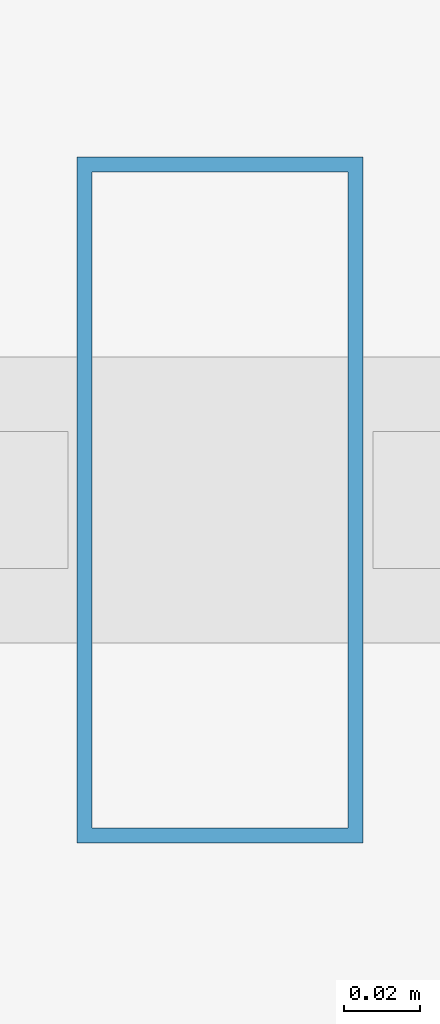
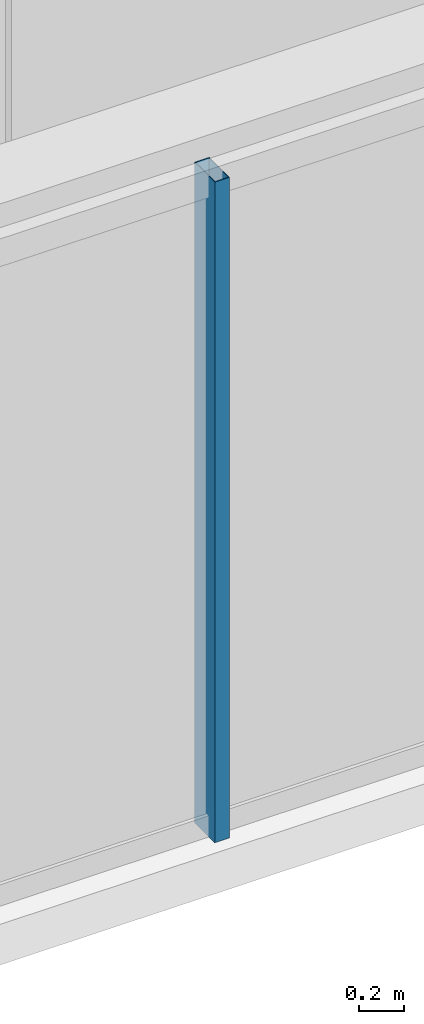
# One storey, part 3 of 35: 1 member, 1 element without a shape of its own.
"""IFC4 building model written with IfcOpenShell, lengths in metres."""

from ifc_helpers import new_model, si_unit, direction, frame, origin, origin_2d, place, context, subcontext, project, spatial, hollow_rectangle, extrude, material, layer, layer_set, material_profile, profile_set, type_object, element, aggregate, save


model = new_model("IFC4")

# Units and contexts
model_context = context("Model", 3, precision=1e-05, world=origin(), true_north=direction((0.0, 1.0)))
body_context = subcontext(model_context, "Body", "Model", "MODEL_VIEW")
ifc_project = project(units=[si_unit("LENGTHUNIT", "METRE"), si_unit("AREAUNIT", "SQUARE_METRE"), si_unit("VOLUMEUNIT", "CUBIC_METRE"), si_unit("PLANEANGLEUNIT", "RADIAN"), si_unit("MASSUNIT", "GRAM", prefix="KILO")], contexts=[model_context])

# Site, building, storey
site_placement = place(None, origin())
site = spatial("IfcSite", under=ifc_project, at=site_placement, CompositionType="ELEMENT")
building_placement = place(site_placement, origin())
building = spatial("IfcBuilding", under=site, at=building_placement, Name="Ndaravel Arena Tower", CompositionType="ELEMENT")
storey_placement = place(building_placement, frame((0.0, 0.0, 180.199951171875)))
storey = spatial("IfcBuildingStorey", under=building, at=storey_placement, Name="L43", CompositionType="ELEMENT", Elevation=180.199951171875)

# Curtain wall, member
ifc_material_1 = material(Name="Aluminium", Category="aluminium")
ifc_layer = layer(ifc_material_1, 0.179931640625)
ifc_layer_set = layer_set([ifc_layer], Name="Aluminium")
curtain_wall_type = type_object("IfcCurtainWallType", Name="CW-SYS-03", PredefinedType="NOTDEFINED", material=ifc_layer_set)
curtain_wall_placement = place(storey_placement, origin())
curtain_wall = element("IfcCurtainWall", 1, at=curtain_wall_placement, inside=storey, type_object=curtain_wall_type, Name="L43 Faceted Crystal Curtain Wall CW-L43-E01", PredefinedType="NOTDEFINED")
ifc_material_2 = material(Name="Aluminium", Category="aluminium")
ifc_material_profile = material_profile(ifc_material_2, hollow_rectangle(XDim=0.074951171875, YDim=0.179931640625, WallThickness=0.00390625, at=origin_2d()), Name="CW MULLION 75x180x4")
ifc_profile_set = profile_set([ifc_material_profile], Name="Aluminium")
member_type = type_object("IfcMemberType", Name="MEM-CW-MUL180", PredefinedType="MULLION", material=ifc_profile_set)
member_placement = place(storey_placement, frame((31.609130859375, 5.159912109375, 0.0), z_axis=(0.0, 0.0, 1.0), x_axis=(1.0, 0.0, 0.0)))
member = element("IfcMember", 2, at=member_placement, type_object=member_type, Name="CW-L43-E01 Mullion 02", PredefinedType="MULLION", context=body_context, shape_type="SweptSolid", body=[
    extrude(hollow_rectangle(XDim=0.074951171875, YDim=0.179931640625, WallThickness=0.00390625, at=origin_2d()), origin(), (0.0, 0.0, 1.0), 3.580078125),
])
aggregate(curtain_wall, [member])

save(model, "model.ifc")
